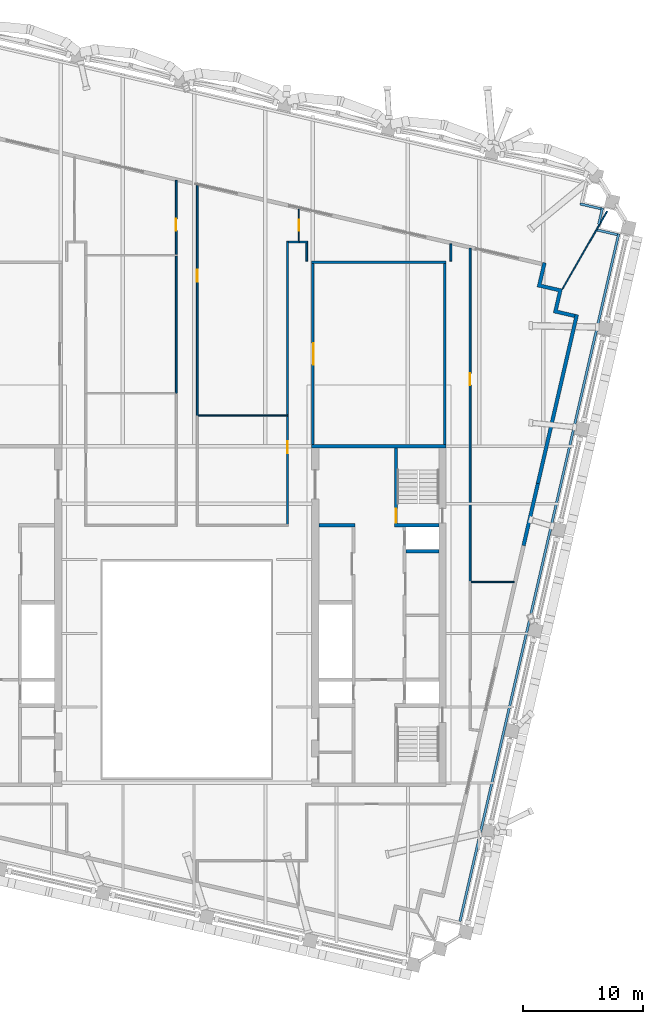
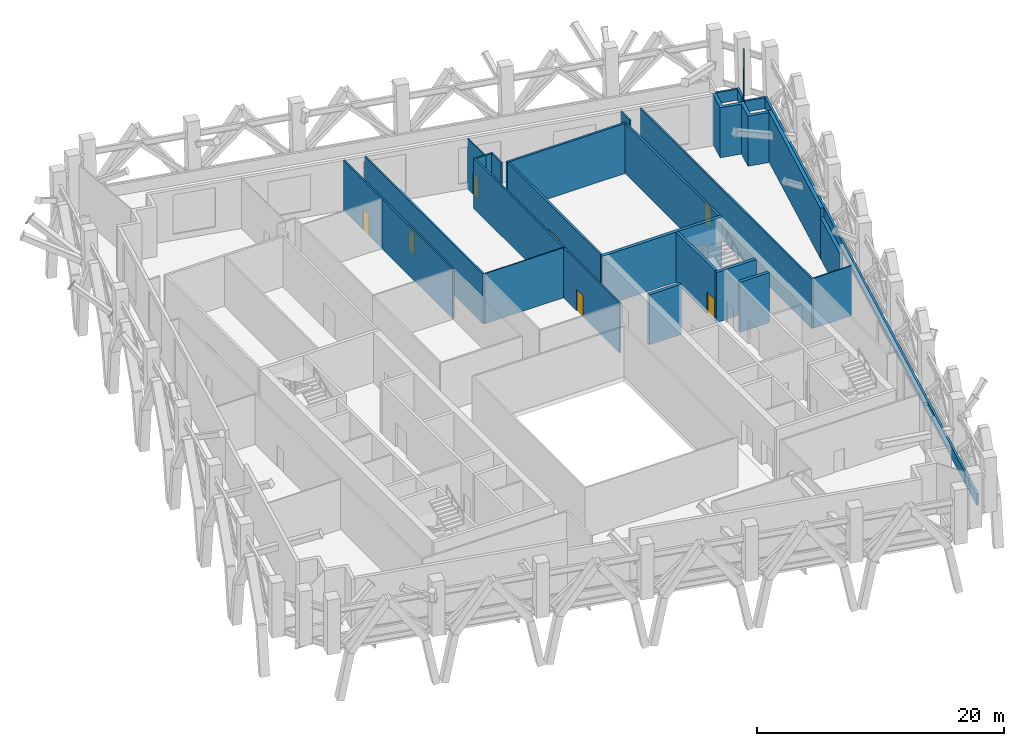
# One storey, part 9 of 19: 29 walls, 7 doors, 7 openings.
"""IFC4 building model written with IfcOpenShell, lengths in metres."""

from ifc_helpers import new_model, si_unit, direction, frame, frame_2d, origin, place, context, subcontext, project, spatial, polyline, rectangle, outline, extrude, material, layer, layer_set, type_object, element, fill, save


model = new_model("IFC4")

# Units and contexts
model_context = context("Model", 3, precision=1e-05, world=origin(), true_north=direction((0.0, 1.0)))
body_context = subcontext(model_context, "Body", "Model", "MODEL_VIEW")
ifc_project = project(units=[si_unit("LENGTHUNIT", "METRE"), si_unit("AREAUNIT", "SQUARE_METRE"), si_unit("VOLUMEUNIT", "CUBIC_METRE"), si_unit("PLANEANGLEUNIT", "RADIAN"), si_unit("MASSUNIT", "GRAM", prefix="KILO")], contexts=[model_context])

# Site, building, storey
site_placement = place(None, origin())
site = spatial("IfcSite", under=ifc_project, at=site_placement, CompositionType="ELEMENT")
building_placement = place(site_placement, origin())
building = spatial("IfcBuilding", under=site, at=building_placement, Name="Ogive Exchange Tower", CompositionType="ELEMENT")
storey_placement = place(building_placement, frame((0.0, 0.0, 297.60009765625)))
storey = spatial("IfcBuildingStorey", under=building, at=storey_placement, Name="L65", CompositionType="ELEMENT", Elevation=297.60009765625)

# Walls
ifc_material_1 = material(Name="Gypsum board partition")
ifc_layer_1 = layer(ifc_material_1, 0.300048828125)
ifc_layer_set_1 = layer_set([ifc_layer_1], Name="Core room partition 300 gypsum")
wall_type_1 = type_object("IfcWallType", Name="Core room partition 300 gypsum", PredefinedType="PARTITIONING", material=ifc_layer_set_1)
wall_1_placement = place(storey_placement, frame((11.0, 19.0, 0.0), z_axis=(0.0, 0.0, 1.0), x_axis=(1.0, 0.0, 0.0)))
element("IfcWall", 1, at=wall_1_placement, inside=storey, type_object=wall_type_1, Name="E row B room end wall 7", PredefinedType="PARTITIONING", context=body_context, shape_type="SweptSolid", body=[
    extrude(rectangle(XDim=3.0, YDim=0.300048828125, at=frame_2d((1.5, 0.0))), origin(), (0.0, 0.0, 1.0), 4.949951171875),
])
ifc_material_2 = material(Name="Fire partition EI 60 150")
ifc_layer_2 = layer(ifc_material_2, 0.14990234375)
ifc_layer_set_2 = layer_set([ifc_layer_2], Name="Fire partition EI 60 150")
wall_type_2 = type_object("IfcWallType", Name="Fire partition EI 60 150", PredefinedType="PARTITIONING", material=ifc_layer_set_2)
wall_2_placement = place(storey_placement, frame((-0.8798828125, 30.0, 0.0), z_axis=(0.0, 0.0, 1.0), x_axis=(0.0, 1.0, 0.0)))
element("IfcWall", 2, at=wall_2_placement, inside=storey, type_object=wall_type_2, Name="L65-PWL-021", PredefinedType="PARTITIONING", context=body_context, shape_type="SweptSolid", body=[
    extrude(rectangle(XDim=11.449951171875, YDim=0.14990234375, at=frame_2d((5.72509765625, 0.0))), origin(), (0.0, 0.0, 1.0), 4.949951171875),
])

# Wall, opening, door
wall_3_placement = place(storey_placement, frame((-0.8798828125, 41.550048828125, 0.0), z_axis=(0.0, 0.0, 1.0), x_axis=(0.0, 1.0, 0.0)))
wall_3 = element("IfcWall", 3, at=wall_3_placement, inside=storey, type_object=wall_type_2, Name="L65-PWL-022", PredefinedType="PARTITIONING", context=body_context, shape_type="SweptSolid", body=[
    extrude(rectangle(XDim=6.177978515625, YDim=0.14990234375, at=frame_2d((3.0888671875, 0.0))), origin(), (0.0, 0.0, 1.0), 4.949951171875),
])
opening_1_placement = place(wall_3_placement, frame((2.0, 0.0, 0.0)))
opening_1 = element("IfcOpeningElement", 4, at=opening_1_placement, cuts=wall_3, Name="Opening L65-I03", PredefinedType="OPENING", context=body_context, shape_type="SweptSolid", body=[
    extrude(rectangle(XDim=1.0, YDim=2.10009765625, at=frame_2d((0.5, 1.050048828125))), frame((0.0, 0.0849609375, 0.0), z_axis=(0.0, -1.0, 0.0), x_axis=(1.0, 0.0, 0.0)), (0.0, 0.0, 1.0), 0.169921875),
])
ifc_material_3 = material(Name="Fire door FD 30S 1000 x 2100")
door_type_1 = type_object("IfcDoorType", Name="Fire door FD 30S 1000 x 2100", OperationType="NOTDEFINED", PredefinedType="DOOR", material=ifc_material_3)
door_1_placement = place(opening_1_placement, origin())
door_1 = element("IfcDoor", 5, at=door_1_placement, inside=storey, type_object=door_type_1, Name="L65-IDR-003", ObjectType="DT3", OperationType="SINGLE_SWING_RIGHT", OverallHeight=2.10009765625, OverallWidth=1.0, PredefinedType="DOOR", context=body_context, shape_type="SweptSolid", body=[
    extrude(rectangle(XDim=1.0, YDim=2.10009765625, at=frame_2d((0.5, 1.050048828125))), frame((0.0, 0.02490234375, 0.0), z_axis=(0.0, -1.0, 0.0), x_axis=(1.0, 0.0, 0.0)), (0.0, 0.0, 1.0), 0.050048828125),
])
fill(opening_1, door_1)

wall_4_placement = place(storey_placement, frame((0.8798828125, 47.321044921875, 0.0), z_axis=(0.0, 0.0, 1.0), x_axis=(0.0, -1.0, 0.0)))
wall_4 = element("IfcWall", 6, at=wall_4_placement, inside=storey, type_object=wall_type_2, Name="L65-PWL-027", PredefinedType="PARTITIONING", context=body_context, shape_type="SweptSolid", body=[
    extrude(rectangle(XDim=19.18115234375, YDim=0.14990234375, at=frame_2d((9.590576171875, 0.0))), origin(), (0.0, 0.0, 1.0), 4.949951171875),
])
opening_2_placement = place(wall_4_placement, frame((7.031005859375, 0.0, 0.0)))
opening_2 = element("IfcOpeningElement", 7, at=opening_2_placement, cuts=wall_4, Name="Opening L65-I09", PredefinedType="OPENING", context=body_context, shape_type="SweptSolid", body=[
    extrude(rectangle(XDim=1.0, YDim=2.10009765625, at=frame_2d((0.5, 1.050048828125))), frame((0.0, 0.0849609375, 0.0), z_axis=(0.0, -1.0, 0.0), x_axis=(1.0, 0.0, 0.0)), (0.0, 0.0, 1.0), 0.169921875),
])
door_2_placement = place(opening_2_placement, origin())
door_2 = element("IfcDoor", 8, at=door_2_placement, inside=storey, type_object=door_type_1, Name="L65-IDR-009", ObjectType="DT3", OperationType="SINGLE_SWING_RIGHT", OverallHeight=2.10009765625, OverallWidth=1.0, PredefinedType="DOOR", context=body_context, shape_type="SweptSolid", body=[
    extrude(rectangle(XDim=1.0, YDim=2.10009765625, at=frame_2d((0.5, 1.050048828125))), frame((0.0, 0.02490234375, 0.0), z_axis=(0.0, -1.0, 0.0), x_axis=(1.0, 0.0, 0.0)), (0.0, 0.0, 1.0), 0.050048828125),
])
fill(opening_2, door_2)

wall_5_placement = place(storey_placement, frame((8.39990234375, 19.074951171875, 0.0), z_axis=(0.0, 0.0, 1.0), x_axis=(0.0, 1.0, 0.0)))
wall_5 = element("IfcWall", 9, at=wall_5_placement, inside=storey, type_object=wall_type_2, Name="L65-PWL-028", PredefinedType="PARTITIONING", context=body_context, shape_type="SweptSolid", body=[
    extrude(rectangle(XDim=9.01513671875, YDim=0.14990234375, at=frame_2d((4.507568359375, 0.0))), origin(), (0.0, 0.0, 1.0), 4.949951171875),
])
opening_3_placement = place(wall_5_placement, frame((5.9150390625, 0.0, 0.0)))
opening_3 = element("IfcOpeningElement", 10, at=opening_3_placement, cuts=wall_5, Name="Opening L65-I08", PredefinedType="OPENING", context=body_context, shape_type="SweptSolid", body=[
    extrude(rectangle(XDim=1.0, YDim=2.10009765625, at=frame_2d((0.5, 1.050048828125))), frame((0.0, 0.0849609375, 0.0), z_axis=(0.0, -1.0, 0.0), x_axis=(1.0, 0.0, 0.0)), (0.0, 0.0, 1.0), 0.169921875),
])
door_3_placement = place(opening_3_placement, origin())
door_3 = element("IfcDoor", 11, at=door_3_placement, inside=storey, type_object=door_type_1, Name="L65-IDR-008", ObjectType="DT3", OperationType="SINGLE_SWING_LEFT", OverallHeight=2.10009765625, OverallWidth=1.0, PredefinedType="DOOR", context=body_context, shape_type="SweptSolid", body=[
    extrude(rectangle(XDim=1.0, YDim=2.10009765625, at=frame_2d((0.5, 1.050048828125))), frame((0.0, 0.02490234375, 0.0), z_axis=(0.0, -1.0, 0.0), x_axis=(1.0, 0.0, 0.0)), (0.0, 0.0, 1.0), 0.050048828125),
])
fill(opening_3, door_3)

# Walls
wall_6_placement = place(storey_placement, frame((8.39990234375, 28.18994140625, 0.0), z_axis=(0.0, 0.0, 1.0), x_axis=(0.0, 1.0, 0.0)))
element("IfcWall", 12, at=wall_6_placement, inside=storey, type_object=wall_type_2, Name="L65-PWL-029", PredefinedType="PARTITIONING", context=body_context, shape_type="SweptSolid", body=[
    extrude(rectangle(XDim=14.485107421875, YDim=0.14990234375, at=frame_2d((7.24267578125, 0.0))), origin(), (0.0, 0.0, 1.0), 4.949951171875),
])
wall_7_placement = place(storey_placement, frame((8.47509765625, 42.60009765625, 0.0), z_axis=(0.0, 0.0, 1.0), x_axis=(1.0, 0.0, 0.0)))
element("IfcWall", 13, at=wall_7_placement, inside=storey, type_object=wall_type_2, Name="L65-PWL-030", PredefinedType="PARTITIONING", context=body_context, shape_type="SweptSolid", body=[
    extrude(rectangle(XDim=0.914794921875, YDim=0.14990234375, at=frame_2d((0.45751953125, 0.0))), origin(), (0.0, 0.0, 1.0), 4.949951171875),
])
wall_8_placement = place(storey_placement, frame((9.389892578125, 42.60009765625, 0.0), z_axis=(0.0, 0.0, 1.0), x_axis=(1.0, 0.0, 0.0)))
element("IfcWall", 14, at=wall_8_placement, inside=storey, type_object=wall_type_2, Name="L65-PWL-033", PredefinedType="PARTITIONING", context=body_context, shape_type="SweptSolid", body=[
    extrude(rectangle(XDim=0.68505859375, YDim=0.14990234375, at=frame_2d((0.342529296875, 0.0))), origin(), (0.0, 0.0, 1.0), 4.949951171875),
])
wall_9_placement = place(storey_placement, frame((10.0, 42.52490234375, 0.0), z_axis=(0.0, 0.0, 1.0), x_axis=(0.0, -1.0, 0.0)))
element("IfcWall", 15, at=wall_9_placement, inside=storey, type_object=wall_type_2, Name="L65-PWL-037", PredefinedType="PARTITIONING", context=body_context, shape_type="SweptSolid", body=[
    extrude(rectangle(XDim=1.52490234375, YDim=0.14990234375, at=frame_2d((0.762451171875, 0.0))), origin(), (0.0, 0.0, 1.0), 4.949951171875),
])
wall_10_placement = place(storey_placement, frame((22.0, 41.0, 0.0), z_axis=(0.0, 0.0, 1.0), x_axis=(0.0, 1.0, 0.0)))
element("IfcWall", 16, at=wall_10_placement, inside=storey, type_object=wall_type_2, Name="L65-PWL-038", PredefinedType="PARTITIONING", context=body_context, shape_type="SweptSolid", body=[
    extrude(rectangle(XDim=1.445068359375, YDim=0.14990234375, at=frame_2d((0.72265625, 0.0))), origin(), (0.0, 0.0, 1.0), 4.949951171875),
])

# Wall, opening, door
wall_11_placement = place(storey_placement, frame((23.60009765625, 42.075927734375, 0.0), z_axis=(0.0, 0.0, 1.0), x_axis=(0.0, -1.0, 0.0)))
wall_11 = element("IfcWall", 17, at=wall_11_placement, inside=storey, type_object=wall_type_2, Name="L65-PWL-043", PredefinedType="PARTITIONING", context=body_context, shape_type="SweptSolid", body=[
    extrude(rectangle(XDim=27.7958984375, YDim=0.14990234375, at=frame_2d((13.89794921875, 0.0))), origin(), (0.0, 0.0, 1.0), 4.949951171875),
])
opening_4_placement = place(wall_11_placement, frame((10.39599609375, 0.0, 0.0)))
opening_4 = element("IfcOpeningElement", 18, at=opening_4_placement, cuts=wall_11, Name="Opening L65-I12", PredefinedType="OPENING", context=body_context, shape_type="SweptSolid", body=[
    extrude(rectangle(XDim=1.0, YDim=2.10009765625, at=frame_2d((0.5, 1.050048828125))), frame((0.0, 0.0849609375, 0.0), z_axis=(0.0, -1.0, 0.0), x_axis=(1.0, 0.0, 0.0)), (0.0, 0.0, 1.0), 0.169921875),
])
door_4_placement = place(opening_4_placement, origin())
door_4 = element("IfcDoor", 19, at=door_4_placement, inside=storey, type_object=door_type_1, Name="L65-IDR-012", ObjectType="DT3", OperationType="SINGLE_SWING_LEFT", OverallHeight=2.10009765625, OverallWidth=1.0, PredefinedType="DOOR", context=body_context, shape_type="SweptSolid", body=[
    extrude(rectangle(XDim=1.0, YDim=2.10009765625, at=frame_2d((0.5, 1.050048828125))), frame((0.0, 0.02490234375, 0.0), z_axis=(0.0, -1.0, 0.0), x_axis=(1.0, 0.0, 0.0)), (0.0, 0.0, 1.0), 0.050048828125),
])
fill(opening_4, door_4)

# Walls
ifc_material_4 = material(Name="Precast concrete C40/50", Category="concrete")
ifc_layer_3 = layer(ifc_material_4, 0.300048828125)
ifc_layer_set_3 = layer_set([ifc_layer_3], Name="Limestone-faced wall 300")
wall_type_3 = type_object("IfcWallType", Name="Limestone-faced wall 300", PredefinedType="STANDARD", material=ifc_layer_set_3)
wall_12_placement = place(storey_placement, origin())
element("IfcWall", 20, at=wall_12_placement, inside=storey, type_object=wall_type_3, Name="External corner wall C2", PredefinedType="STANDARD", context=body_context, shape_type="SweptSolid", body=[
    extrude(outline(polyline([(30.931396484375, 38.453369140625), (29.177490234375, 38.8583984375), (29.64990234375, 40.904541015625), (29.942138671875, 40.8369140625), (29.537109375, 39.0830078125), (31.291015625, 38.67822265625), (30.88623046875, 36.92431640625), (32.34765625, 36.5869140625), (32.2802734375, 36.294677734375), (30.5263671875, 36.699462890625), (30.931396484375, 38.453369140625)])), origin(), (0.0, 0.0, 1.0), 4.949951171875),
])
wall_13_placement = place(storey_placement, frame((28.0537109375, 17.3212890625, 0.0), z_axis=(0.0, 0.0, 1.0), x_axis=(0.224970521667, 0.974365570195, 0.0)))
element("IfcWall", 21, at=wall_13_placement, inside=storey, type_object=wall_type_3, Name="External wall E2", PredefinedType="STANDARD", context=body_context, shape_type="SweptSolid", body=[
    extrude(rectangle(XDim=5.30029296875, YDim=0.300048828125, at=frame_2d((2.650146484375, 0.0))), origin(), (0.0, 0.0, 1.0), 4.0498046875),
])
wall_14_placement = place(storey_placement, frame((29.24609375, 22.485595703125, 0.0), z_axis=(0.0, 0.0, 1.0), x_axis=(0.224953365503, 0.974369531209, 0.0)))
element("IfcWall", 22, at=wall_14_placement, inside=storey, type_object=wall_type_3, Name="External wall E2", PredefinedType="STANDARD", context=body_context, shape_type="SweptSolid", body=[
    extrude(rectangle(XDim=14.437744140625, YDim=0.300048828125, at=frame_2d((7.21875, 0.0))), origin(), (0.0, 0.0, 1.0), 4.949951171875),
])
ifc_material_5 = material(Name="Laminated safety glass in steel frame", Category="steel")
ifc_layer_4 = layer(ifc_material_5, 0.10009765625)
ifc_layer_set_4 = layer_set([ifc_layer_4], Name="Loggia end screen 100")
wall_type_4 = type_object("IfcWallType", Name="Loggia end screen 100", PredefinedType="STANDARD", material=ifc_layer_set_4)
wall_15_placement = place(storey_placement, frame((31.291015625, 38.67822265625, -0.050048828125), z_axis=(0.0, 0.0, 1.0), x_axis=(0.498200820302, 0.867061671769, 0.0)))
element("IfcWall", 23, at=wall_15_placement, inside=storey, type_object=wall_type_4, Name="Loggia end screen C2", PredefinedType="STANDARD", context=body_context, shape_type="SweptSolid", body=[
    extrude(rectangle(XDim=7.46728515625, YDim=0.10009765625, at=frame_2d((3.733642578125, 0.0))), origin(), (0.0, 0.0, 1.0), 5.0),
])
ifc_material_6 = material(Name="Partition 100 gypsum")
ifc_layer_5 = layer(ifc_material_6, 0.10009765625)
ifc_layer_set_5 = layer_set([ifc_layer_5], Name="Partition 100 gypsum")
wall_type_5 = type_object("IfcWallType", Name="Partition 100 gypsum", PredefinedType="PARTITIONING", material=ifc_layer_set_5)
wall_16_placement = place(storey_placement, frame((0.955078125, 28.139892578125, 0.0), z_axis=(0.0, 0.0, 1.0), x_axis=(1.0, 0.0, 0.0)))
element("IfcWall", 24, at=wall_16_placement, inside=storey, type_object=wall_type_5, Name="L65-PWL-026", PredefinedType="PARTITIONING", context=body_context, shape_type="SweptSolid", body=[
    extrude(rectangle(XDim=7.52001953125, YDim=0.10009765625, at=frame_2d((3.760009765625, 0.0))), origin(), (0.0, 0.0, 1.0), 4.949951171875),
])

# Wall, opening, door
wall_17_placement = place(storey_placement, frame((9.340087890625, 45.367919921875, 0.0), z_axis=(0.0, 0.0, 1.0), x_axis=(0.0, -1.0, 0.0)))
wall_17 = element("IfcWall", 25, at=wall_17_placement, inside=storey, type_object=wall_type_5, Name="L65-PWL-034", PredefinedType="PARTITIONING", context=body_context, shape_type="SweptSolid", body=[
    extrude(rectangle(XDim=2.69287109375, YDim=0.10009765625, at=frame_2d((1.346435546875, 0.0))), origin(), (0.0, 0.0, 1.0), 4.949951171875),
])
opening_5_placement = place(wall_17_placement, frame((0.91796875, 0.0, 0.0)))
opening_5 = element("IfcOpeningElement", 26, at=opening_5_placement, cuts=wall_17, Name="Opening L65-I10", PredefinedType="OPENING", context=body_context, shape_type="SweptSolid", body=[
    extrude(rectangle(XDim=0.89990234375, YDim=2.10009765625, at=frame_2d((0.449951171875, 1.050048828125))), frame((0.0, 0.06005859375, 0.0), z_axis=(0.0, -1.0, 0.0), x_axis=(1.0, 0.0, 0.0)), (0.0, 0.0, 1.0), 0.1201171875),
])
ifc_material_7 = material(Name="Door 900 x 2100")
door_type_2 = type_object("IfcDoorType", Name="Door 900 x 2100", OperationType="NOTDEFINED", PredefinedType="DOOR", material=ifc_material_7)
door_5_placement = place(opening_5_placement, origin())
door_5 = element("IfcDoor", 27, at=door_5_placement, inside=storey, type_object=door_type_2, Name="L65-IDR-010", ObjectType="DT1", OperationType="SINGLE_SWING_LEFT", OverallHeight=2.10009765625, OverallWidth=0.89990234375, PredefinedType="DOOR", context=body_context, shape_type="SweptSolid", body=[
    extrude(rectangle(XDim=0.89990234375, YDim=2.10009765625, at=frame_2d((0.449951171875, 1.050048828125))), frame((0.0, 0.02490234375, 0.0), z_axis=(0.0, -1.0, 0.0), x_axis=(1.0, 0.0, 0.0)), (0.0, 0.0, 1.0), 0.050048828125),
])
fill(opening_5, door_5)

# Walls
wall_18_placement = place(storey_placement, frame((23.675048828125, 14.280029296875, 0.0), z_axis=(0.0, 0.0, 1.0), x_axis=(1.0, 0.0, 0.0)))
element("IfcWall", 28, at=wall_18_placement, inside=storey, type_object=wall_type_5, Name="L65-PWL-042", PredefinedType="PARTITIONING", context=body_context, shape_type="SweptSolid", body=[
    extrude(rectangle(XDim=3.60498046875, YDim=0.10009765625, at=frame_2d((1.802490234375, 0.0))), origin(), (0.0, 0.0, 1.0), 4.949951171875),
])
ifc_layer_6 = layer(ifc_material_4, 0.199951171875)
ifc_layer_set_6 = layer_set([ifc_layer_6], Name="Plant deck parapet 200")
wall_type_6 = type_object("IfcWallType", Name="Plant deck parapet 200", PredefinedType="STANDARD", material=ifc_layer_set_6)
wall_19_placement = place(storey_placement, frame((22.756591796875, -13.981689453125, -0.050048828125), z_axis=(0.0, 0.0, 1.0), x_axis=(0.224947491476, 0.974370887331, 0.0)))
element("IfcWall", 29, at=wall_19_placement, inside=storey, type_object=wall_type_6, Name="Plant deck parapet 6", PredefinedType="STANDARD", context=body_context, shape_type="SweptSolid", body=[
    extrude(rectangle(XDim=58.76904296875, YDim=0.199951171875, at=frame_2d((29.384521484375, 0.0))), origin(), (0.0, 0.0, 1.0), 1.099853515625),
])
wall_20_placement = place(storey_placement, frame((35.856689453125, 43.206298828125, -0.050048828125), z_axis=(0.0, 0.0, 1.0), x_axis=(-0.974371959808, 0.22494284594, 0.0)))
element("IfcWall", 30, at=wall_20_placement, inside=storey, type_object=wall_type_6, Name="Plant deck parapet 7", PredefinedType="STANDARD", context=body_context, shape_type="SweptSolid", body=[
    extrude(rectangle(XDim=1.711669921875, YDim=0.199951171875, at=frame_2d((0.85595703125, 0.0))), origin(), (0.0, 0.0, 1.0), 1.099853515625),
])
wall_21_placement = place(storey_placement, frame((34.3095703125, 44.062255859375, -0.050048828125), z_axis=(0.0, 0.0, 1.0), x_axis=(0.224985610213, 0.974362086289, 0.0)))
element("IfcWall", 31, at=wall_21_placement, inside=storey, type_object=wall_type_6, Name="Plant deck parapet 8", PredefinedType="STANDARD", context=body_context, shape_type="SweptSolid", body=[
    extrude(rectangle(XDim=1.413818359375, YDim=0.199951171875, at=frame_2d((0.70703125, 0.0))), origin(), (0.0, 0.0, 1.0), 1.099853515625),
])
wall_22_placement = place(storey_placement, frame((34.5078125, 45.364990234375, -0.050048828125), z_axis=(0.0, 0.0, 1.0), x_axis=(-0.974356896201, 0.225008086135, 0.0)))
element("IfcWall", 32, at=wall_22_placement, inside=storey, type_object=wall_type_6, Name="Plant deck parapet 9", PredefinedType="STANDARD", context=body_context, shape_type="SweptSolid", body=[
    extrude(rectangle(XDim=1.800048828125, YDim=0.199951171875, at=frame_2d((0.89990234375, 0.0))), origin(), (0.0, 0.0, 1.0), 1.099853515625),
])
ifc_material_8 = material(Name="Concrete C70/85", Category="concrete")
ifc_layer_7 = layer(ifc_material_8, 0.199951171875)
ifc_layer_set_7 = layer_set([ifc_layer_7], Name="RC core wall 200 C70/85")
wall_type_7 = type_object("IfcWallType", Name="RC core wall 200 C70/85", PredefinedType="SHEAR", material=ifc_layer_set_7)
wall_23_placement = place(storey_placement, frame((21.5, 25.75, 0.0), z_axis=(0.0, 0.0, 1.0), x_axis=(0.0, 1.0, 0.0)))
element("IfcWall", 33, at=wall_23_placement, inside=storey, type_object=wall_type_7, Name="E annex N outer wall", PredefinedType="SHEAR", context=body_context, shape_type="SweptSolid", body=[
    extrude(rectangle(XDim=15.050048828125, YDim=0.199951171875, at=frame_2d((7.52490234375, 0.0))), origin(), (0.0, 0.0, 1.0), 4.949951171875),
])

# Wall, opening, door
wall_24_placement = place(storey_placement, frame((10.5, 25.75, 0.0), z_axis=(0.0, 0.0, 1.0), x_axis=(0.0, 1.0, 0.0)))
wall_24 = element("IfcWall", 34, at=wall_24_placement, inside=storey, type_object=wall_type_7, Name="E annex N inner wall", PredefinedType="SHEAR", context=body_context, shape_type="SweptSolid", body=[
    extrude(rectangle(XDim=15.050048828125, YDim=0.199951171875, at=frame_2d((7.52490234375, 0.0))), origin(), (0.0, 0.0, 1.0), 4.949951171875),
])
opening_6_placement = place(wall_24_placement, frame((6.625, 0.0, 0.0)))
opening_6 = element("IfcOpeningElement", 35, at=opening_6_placement, cuts=wall_24, Name="Opening L65-C32", PredefinedType="OPENING", context=body_context, shape_type="SweptSolid", body=[
    extrude(rectangle(XDim=1.800048828125, YDim=2.39990234375, at=frame_2d((0.89990234375, 1.199951171875))), frame((0.0, 0.10986328125, 0.0), z_axis=(0.0, -1.0, 0.0), x_axis=(1.0, 0.0, 0.0)), (0.0, 0.0, 1.0), 0.219970703125),
])
ifc_material_9 = material(Name="Steel fire door", Category="steel")
door_type_3 = type_object("IfcDoorType", Name="Plant room door FD60 1800 x 2400", OperationType="DOUBLE_DOOR_SINGLE_SWING", PredefinedType="DOOR", material=ifc_material_9)
door_6_placement = place(opening_6_placement, origin())
door_6 = element("IfcDoor", 36, at=door_6_placement, inside=storey, type_object=door_type_3, Name="Plant room door", ObjectType="CD1", OperationType="DOUBLE_DOOR_SINGLE_SWING", OverallHeight=2.39990234375, OverallWidth=1.800048828125, PredefinedType="DOOR", context=body_context, shape_type="SweptSolid", body=[
    extrude(rectangle(XDim=1.800048828125, YDim=2.39990234375, at=frame_2d((0.89990234375, 1.199951171875))), frame((0.0, -0.0498046875, 0.0), z_axis=(0.0, -1.0, 0.0), x_axis=(1.0, 0.0, 0.0)), (0.0, 0.0, 1.0), 0.050048828125),
])
fill(opening_6, door_6)

# Wall
wall_25_placement = place(storey_placement, frame((10.39990234375, 40.89990234375, 0.0), z_axis=(0.0, 0.0, 1.0), x_axis=(1.0, 0.0, 0.0)))
element("IfcWall", 37, at=wall_25_placement, inside=storey, type_object=wall_type_7, Name="E annex N end wall", PredefinedType="SHEAR", context=body_context, shape_type="SweptSolid", body=[
    extrude(rectangle(XDim=11.2001953125, YDim=0.199951171875, at=frame_2d((5.60009765625, 0.0))), origin(), (0.0, 0.0, 1.0), 4.949951171875),
])

# Wall, opening, door
ifc_layer_8 = layer(ifc_material_8, 0.25)
ifc_layer_set_8 = layer_set([ifc_layer_8], Name="RC core wall 250 C70/85")
wall_type_8 = type_object("IfcWallType", Name="RC core wall 250 C70/85", PredefinedType="SHEAR", material=ifc_layer_set_8)
wall_26_placement = place(storey_placement, frame((17.425048828125, 19.14990234375, 0.0), z_axis=(0.0, 0.0, 1.0), x_axis=(0.0, 1.0, 0.0)))
wall_26 = element("IfcWall", 38, at=wall_26_placement, inside=storey, type_object=wall_type_8, Name="E stair N front wall", PredefinedType="SHEAR", context=body_context, shape_type="SweptSolid", body=[
    extrude(rectangle(XDim=6.300048828125, YDim=0.25, at=frame_2d((3.14990234375, 0.0))), origin(), (0.0, 0.0, 1.0), 4.949951171875),
])
opening_7_placement = place(wall_26_placement, frame((0.050048828125, 0.0, 0.0)))
opening_7 = element("IfcOpeningElement", 39, at=opening_7_placement, cuts=wall_26, Name="Opening L65-C28", PredefinedType="OPENING", context=body_context, shape_type="SweptSolid", body=[
    extrude(rectangle(XDim=1.199951171875, YDim=2.10009765625, at=frame_2d((0.60009765625, 1.050048828125))), frame((0.0, 0.135009765625, 0.0), z_axis=(0.0, -1.0, 0.0), x_axis=(1.0, 0.0, 0.0)), (0.0, 0.0, 1.0), 0.27001953125),
])
door_type_4 = type_object("IfcDoorType", Name="Stair door FD90 1200 x 2100", OperationType="NOTDEFINED", PredefinedType="DOOR", material=ifc_material_9)
door_7_placement = place(opening_7_placement, frame((1.199951171875, 0.0, 0.0), z_axis=(0.0, 0.0, 1.0), x_axis=(-1.0, 0.0, 0.0)))
door_7 = element("IfcDoor", 40, at=door_7_placement, inside=storey, type_object=door_type_4, Name="Stair door", ObjectType="CD5", OperationType="SINGLE_SWING_LEFT", OverallHeight=2.10009765625, OverallWidth=1.199951171875, PredefinedType="DOOR", context=body_context, shape_type="SweptSolid", body=[
    extrude(rectangle(XDim=1.199951171875, YDim=2.10009765625, at=frame_2d((0.60009765625, 1.050048828125))), frame((0.0, 0.02490234375, 0.0), z_axis=(0.0, -1.0, 0.0), x_axis=(1.0, 0.0, 0.0)), (0.0, 0.0, 1.0), 0.050048828125),
])
fill(opening_7, door_7)

# Walls
ifc_layer_9 = layer(ifc_material_8, 0.300048828125)
ifc_layer_set_9 = layer_set([ifc_layer_9], Name="RC core wall 300 C70/85")
wall_type_9 = type_object("IfcWallType", Name="RC core wall 300 C70/85", PredefinedType="SHEAR", material=ifc_layer_set_9)
wall_27_placement = place(storey_placement, frame((10.39990234375, 25.60009765625, 0.0), z_axis=(0.0, 0.0, 1.0), x_axis=(1.0, 0.0, 0.0)))
element("IfcWall", 41, at=wall_27_placement, inside=storey, type_object=wall_type_9, Name="E north end wall", PredefinedType="SHEAR", context=body_context, shape_type="SweptSolid", body=[
    extrude(rectangle(XDim=11.2001953125, YDim=0.300048828125, at=frame_2d((5.60009765625, 0.0))), origin(), (0.0, 0.0, 1.0), 4.949951171875),
])
wall_28_placement = place(storey_placement, frame((17.300048828125, 19.0, 0.0), z_axis=(0.0, 0.0, 1.0), x_axis=(1.0, 0.0, 0.0)))
element("IfcWall", 42, at=wall_28_placement, inside=storey, type_object=wall_type_9, Name="E stair N south wall", PredefinedType="SHEAR", context=body_context, shape_type="SweptSolid", body=[
    extrude(rectangle(XDim=3.699951171875, YDim=0.300048828125, at=frame_2d((1.85009765625, 0.0))), origin(), (0.0, 0.0, 1.0), 4.949951171875),
])
wall_29_placement = place(storey_placement, frame((18.25, 16.857177734375, 0.0), z_axis=(0.0, 0.0, 1.0), x_axis=(1.0, 0.0, 0.0)))
element("IfcWall", 43, at=wall_29_placement, inside=storey, type_object=wall_type_9, Name="E row A divider 6", PredefinedType="SHEAR", context=body_context, shape_type="SweptSolid", body=[
    extrude(rectangle(XDim=2.75, YDim=0.300048828125, at=frame_2d((1.375, 0.0))), origin(), (0.0, 0.0, 1.0), 4.949951171875),
])

save(model, "model.ifc")
